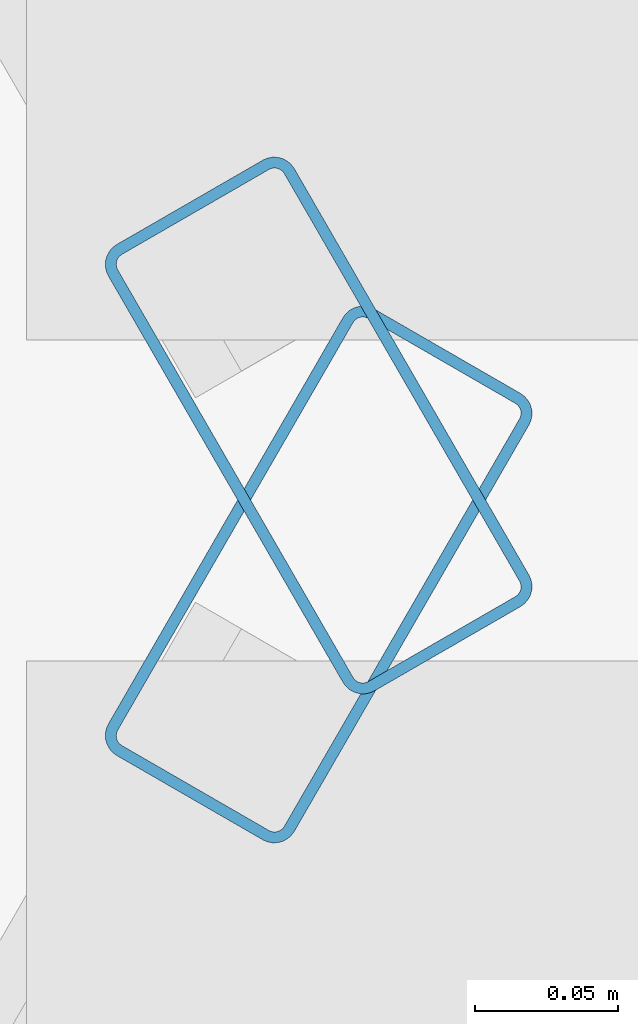
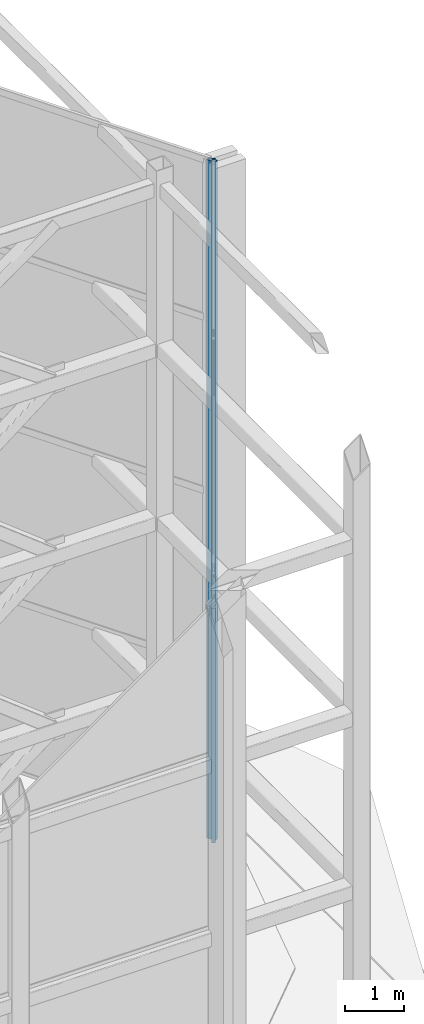
# One storey, part 18 of 24: 2 members, 2 elements without a shape of their own.
"""IFC4 building model written with IfcOpenShell, lengths in metres."""

import ifcopenshell
import ifcopenshell.guid

model = None  # the IFC model being written
_history = None  # IfcOwnerHistory: only IFC2X3 demands one
_inside = {}  # id of a spatial element -> (the spatial element, [elements in it])
_under = {}  # id of a project, library or spatial element -> (it, [spatial elements below it])
_declared = {}  # id of a project -> (the project, [libraries it declares])
_typed = {}  # id of a type object -> (the type object, [elements of that type])
_made_of = {}  # id of a material, layer set ... -> (it, [elements and type objects made of it])


def new_model(schema):
    """Start an empty IFC model of exactly this schema.

    Asked for "IFC4X3", IfcOpenShell would pick the latest addendum, in which some entities
    have other attributes; the version numbers below select the first issue.
    IFC2X3 requires an IfcOwnerHistory on every rooted entity: one is made here for all.
    """
    global model, _history
    if schema == "IFC4X3":
        model = ifcopenshell.file(schema_version=(4, 3, 0, 0))
    else:
        model = ifcopenshell.file(schema=schema)
    _inside.clear()
    _under.clear()
    _declared.clear()
    _typed.clear()
    _made_of.clear()
    _history = None
    if model.schema == "IFC2X3":
        org = make("IfcOrganization", Name="unknown")
        user = make(
            "IfcPersonAndOrganization",
            ThePerson=make("IfcPerson", FamilyName="unknown"),
            TheOrganization=org,
        )
        app = make(
            "IfcApplication",
            ApplicationDeveloper=org,
            Version="unknown",
            ApplicationFullName="unknown",
            ApplicationIdentifier="unknown",
        )
        _history = make(
            "IfcOwnerHistory",
            OwningUser=user,
            OwningApplication=app,
            ChangeAction="ADDED",
            CreationDate=0,
        )
    return model


def make(cls, **values):
    """One entity of the class cls with the attributes given. An attribute that is None is left unset."""
    return model.create_entity(
        cls, **{name: value for name, value in values.items() if value is not None}
    )


def rooted(cls, **values):
    """An entity with a GlobalId (a new one), such as an element, a storey or a relation."""
    return make(cls, GlobalId=ifcopenshell.guid.new(), OwnerHistory=_history, **values)


def si_unit(unit_type, name, prefix=None):
    """IfcSIUnit, for example si_unit("LENGTHUNIT", "METRE", prefix="MILLI")."""
    return make("IfcSIUnit", UnitType=unit_type, Prefix=prefix, Name=name)


def assignment(units):
    """IfcUnitAssignment: the units of a project."""
    return None if units is None else make("IfcUnitAssignment", Units=units)


def point(xyz):
    """IfcCartesianPoint."""
    return None if xyz is None else make("IfcCartesianPoint", Coordinates=xyz)


def direction(xyz):
    """IfcDirection."""
    return None if xyz is None else make("IfcDirection", DirectionRatios=xyz)


def frame(location, z_axis=None, x_axis=None):
    """IfcAxis2Placement3D, a coordinate frame: its origin and axes. An axis left out is left unset."""
    return make(
        "IfcAxis2Placement3D",
        Location=point(location),
        Axis=direction(z_axis),
        RefDirection=direction(x_axis),
    )


def frame_2d(location, x_axis=None):
    """IfcAxis2Placement2D, a coordinate frame in the plane: its origin and x axis."""
    return make(
        "IfcAxis2Placement2D", Location=point(location), RefDirection=direction(x_axis)
    )


def origin():
    """The frame at (0, 0, 0) with its axes left unset."""
    return frame((0.0, 0.0, 0.0))


def origin_2d():
    """The frame at (0, 0) in the plane with its x axis left unset."""
    return frame_2d((0.0, 0.0))


def place(relative_to, where):
    """IfcLocalPlacement: puts the frame where relative to a parent placement (None: the world)."""
    return make(
        "IfcLocalPlacement", PlacementRelTo=relative_to, RelativePlacement=where
    )


def context(
    kind, dimensions, precision=None, world=None, true_north=None, identifier=None
):
    """IfcGeometricRepresentationContext, for example the 3D "Model" context."""
    return make(
        "IfcGeometricRepresentationContext",
        ContextIdentifier=identifier,
        ContextType=kind,
        CoordinateSpaceDimension=dimensions,
        Precision=precision,
        WorldCoordinateSystem=world,
        TrueNorth=true_north,
    )


def subcontext(parent, identifier, kind, view, scale=None):
    """IfcGeometricRepresentationSubContext, for example "Body" below "Model"."""
    return make(
        "IfcGeometricRepresentationSubContext",
        ContextIdentifier=identifier,
        ContextType=kind,
        ParentContext=parent,
        TargetScale=scale,
        TargetView=view,
    )


def project(units=None, contexts=None):
    """IfcProject with its units and contexts."""
    return rooted(
        "IfcProject",
        Name="project",
        RepresentationContexts=contexts,
        UnitsInContext=assignment(units),
    )


def spatial(cls, under=None, at=None, **own):
    """A site, building, storey or space (cls), placed at a placement, below another one or the project."""
    s = rooted(cls, ObjectPlacement=at, **own)
    if under is not None:
        _under.setdefault(under.id(), (under, []))[1].append(s)
    return s


def profile(cls, at=None, kind="AREA", **sizes):
    """A parametric profile (cls). Its sizes go by their IFC names, for example OverallWidth=200.0."""
    return make(cls, ProfileType=kind, Position=at, **sizes)


def hollow_rectangle(**sizes):
    """IfcRectangleHollowProfileDef."""
    return profile("IfcRectangleHollowProfileDef", **sizes)


def extrude(swept, where, along, depth):
    """IfcExtrudedAreaSolid: the profile swept, set in the frame where, extruded along a direction by depth."""
    return make(
        "IfcExtrudedAreaSolid",
        SweptArea=swept,
        Position=where,
        ExtrudedDirection=direction(along),
        Depth=depth,
    )


def shape(context_of_items, identifier, shape_type, items):
    """IfcShapeRepresentation: the items that make up one representation, for example the "Body"."""
    return make(
        "IfcShapeRepresentation",
        ContextOfItems=context_of_items,
        RepresentationIdentifier=identifier,
        RepresentationType=shape_type,
        Items=items,
    )


def material(Name=None, Category=None):
    """IfcMaterial."""
    return make("IfcMaterial", Name=Name, Category=Category)


def layer(
    of_material, thickness, ventilated=None, Name=None, Category=None, Priority=None
):
    """IfcMaterialLayer: one layer of a wall or slab, of a material (None: an air gap)."""
    return make(
        "IfcMaterialLayer",
        Material=of_material,
        LayerThickness=thickness,
        IsVentilated=ventilated,
        Name=Name,
        Category=Category,
        Priority=Priority,
    )


def layer_set(layers, Name=None):
    """IfcMaterialLayerSet."""
    return make("IfcMaterialLayerSet", MaterialLayers=layers, LayerSetName=Name)


def material_profile(
    of_material, cross_section, Name=None, Category=None, Priority=None
):
    """IfcMaterialProfile: a cross section and its material."""
    return make(
        "IfcMaterialProfile",
        Name=Name,
        Material=of_material,
        Profile=cross_section,
        Priority=Priority,
        Category=Category,
    )


def profile_set(profiles, Name=None, composite=None):
    """IfcMaterialProfileSet."""
    return make(
        "IfcMaterialProfileSet",
        Name=Name,
        MaterialProfiles=profiles,
        CompositeProfile=composite,
    )


def made_of(thing, what):
    """Note that an element or type object is made of a material, layer set ...; save() writes the relation."""
    if what is not None:
        _made_of.setdefault(what.id(), (what, []))[1].append(thing)
    return thing


def type_object(cls, material=None, **own):
    """A type object (cls), such as IfcWallType, which elements share."""
    return made_of(rooted(cls, **own), material)


def element(
    cls,
    number,
    at=None,
    inside=None,
    cuts=None,
    type_object=None,
    material=None,
    context=None,
    identifier="Body",
    shape_type=None,
    held_by="IfcProductDefinitionShape",
    body=None,
    shapes=None,
    **own,
):
    """One element of the class cls, such as IfcWall. Its Tag is "e" and its number.

    at: its placement. inside: the storey or other place that contains it. cuts: it is an
    opening in that element (IfcRelVoidsElement). A single representation is given by context,
    identifier, shape_type and body (its items); several are given by shapes. held_by: the class
    of the entity that holds the representations. save() writes the other relations.
    """
    e = rooted(cls, Tag="e%d" % number, ObjectPlacement=at, **own)
    if body is not None:
        shapes = [shape(context, identifier, shape_type, body)]
    if shapes is not None:
        e.Representation = make(held_by, Representations=shapes)
    if inside is not None:
        _inside.setdefault(inside.id(), (inside, []))[1].append(e)
    if cuts is not None:
        rooted(
            "IfcRelVoidsElement", RelatingBuildingElement=cuts, RelatedOpeningElement=e
        )
    if type_object is not None:
        _typed.setdefault(type_object.id(), (type_object, []))[1].append(e)
    return made_of(e, material)


def aggregate(whole, parts):
    """IfcRelAggregates: a whole, such as a stair, and the parts it consists of."""
    return rooted("IfcRelAggregates", RelatingObject=whole, RelatedObjects=parts)


def save(model, path):
    """Write the relations noted so far, then the file.

    IfcRelAggregates (storeys below a building ...), IfcRelContainedInSpatialStructure (elements
    in a storey), IfcRelDefinesByType, IfcRelAssociatesMaterial and IfcRelDeclares: one each for
    every whole, place, type object, material and project.
    """
    for whole, parts in _under.values():
        aggregate(whole, parts)
    for where, things in _inside.values():
        rooted(
            "IfcRelContainedInSpatialStructure",
            RelatedElements=things,
            RelatingStructure=where,
        )
    for kind, things in _typed.values():
        rooted("IfcRelDefinesByType", RelatedObjects=things, RelatingType=kind)
    for what, things in _made_of.values():
        rooted("IfcRelAssociatesMaterial", RelatedObjects=things, RelatingMaterial=what)
    for by, libraries in _declared.values():
        rooted("IfcRelDeclares", RelatingContext=by, RelatedDefinitions=libraries)
    model.write(path)


model = new_model("IFC4")

# Units and contexts
model_context = context("Model", 3, precision=1e-05, world=origin(), true_north=direction((0.0, 1.0)))
body_context = subcontext(model_context, "Body", "Model", "MODEL_VIEW")
ifc_project = project(units=[si_unit("LENGTHUNIT", "METRE"), si_unit("AREAUNIT", "SQUARE_METRE"), si_unit("VOLUMEUNIT", "CUBIC_METRE"), si_unit("PLANEANGLEUNIT", "RADIAN"), si_unit("MASSUNIT", "GRAM", prefix="KILO")], contexts=[model_context])

# Site, building, storey
site_placement = place(None, origin())
site = spatial("IfcSite", under=ifc_project, at=site_placement, CompositionType="ELEMENT")
building_placement = place(site_placement, origin())
building = spatial("IfcBuilding", under=site, at=building_placement, Name="Solvaryn Broadcast Tower", CompositionType="ELEMENT")
storey_placement = place(building_placement, frame((0.0, 0.0, 307.800048828125)))
storey = spatial("IfcBuildingStorey", under=building, at=storey_placement, Name="Roof Main", CompositionType="ELEMENT", Elevation=307.800048828125)

# Curtain wall, member
ifc_material_1 = material(Name="Aluminium and Terracotta Unitised Curtain Wall", Category="masonry")
ifc_layer = layer(ifc_material_1, 0.2099609375)
ifc_layer_set = layer_set([ifc_layer], Name="CW-SYS6-CROWN")
curtain_wall_type = type_object("IfcCurtainWallType", Name="CW-SYS6-CROWN", PredefinedType="NOTDEFINED", material=ifc_layer_set)
curtain_wall_1_placement = place(storey_placement, origin())
curtain_wall_1 = element("IfcCurtainWall", 1, at=curtain_wall_1_placement, inside=storey, type_object=curtain_wall_type, Name="Roof Main Split-Top Crown Curtain Wall E1", PredefinedType="NOTDEFINED")
ifc_material_2 = material(Name="Anodised Aluminium 6063-T6", Category="aluminium")
ifc_material_profile = material_profile(ifc_material_2, hollow_rectangle(XDim=0.074951171875, YDim=0.179931640625, WallThickness=0.00390625, InnerFilletRadius=0.00390625, OuterFilletRadius=0.008056640625, at=origin_2d()))
ifc_profile_set = profile_set([ifc_material_profile], Name="Anodised Aluminium 6063-T6")
member_type = type_object("IfcMemberType", Name="CW-MUL-180", PredefinedType="MULLION", material=ifc_profile_set)
member_1_placement = place(storey_placement, frame((43.8349609375, 17.926025390625, 0.0), z_axis=(0.0, 0.0, 1.0), x_axis=(-0.866035181372, -0.499983064339, 0.0)))
member_1 = element("IfcMember", 2, at=member_1_placement, type_object=member_type, Name="CWS6 mullion 1", PredefinedType="MULLION", context=body_context, shape_type="SweptSolid", body=[
    extrude(hollow_rectangle(XDim=0.074951171875, YDim=0.179931640625, WallThickness=0.00390625, InnerFilletRadius=0.00390625, OuterFilletRadius=0.008056640625, at=origin_2d()), origin(), (0.0, 0.0, 1.0), 14.099853515625),
])
aggregate(curtain_wall_1, [member_1])

curtain_wall_2_placement = place(storey_placement, origin())
curtain_wall_2 = element("IfcCurtainWall", 3, at=curtain_wall_2_placement, inside=storey, type_object=curtain_wall_type, Name="Roof Main Split-Top Crown Curtain Wall E6", PredefinedType="NOTDEFINED")
member_2_placement = place(storey_placement, frame((43.8349609375, 17.8740234375, 0.0), z_axis=(0.0, 0.0, 1.0), x_axis=(-0.866035181372, 0.499983064339, 0.0)))
member_2 = element("IfcMember", 4, at=member_2_placement, type_object=member_type, Name="CWS6 mullion 2", PredefinedType="MULLION", context=body_context, shape_type="SweptSolid", body=[
    extrude(hollow_rectangle(XDim=0.074951171875, YDim=0.179931640625, WallThickness=0.00390625, InnerFilletRadius=0.00390625, OuterFilletRadius=0.008056640625, at=origin_2d()), origin(), (0.0, 0.0, 1.0), 14.099853515625),
])
aggregate(curtain_wall_2, [member_2])

save(model, "model.ifc")
